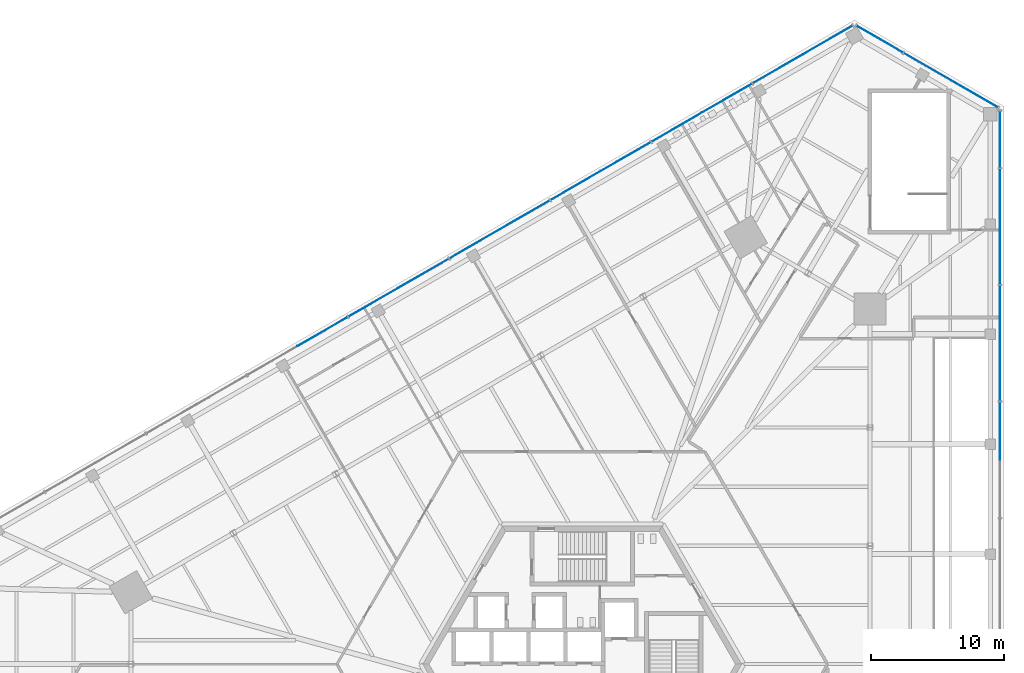
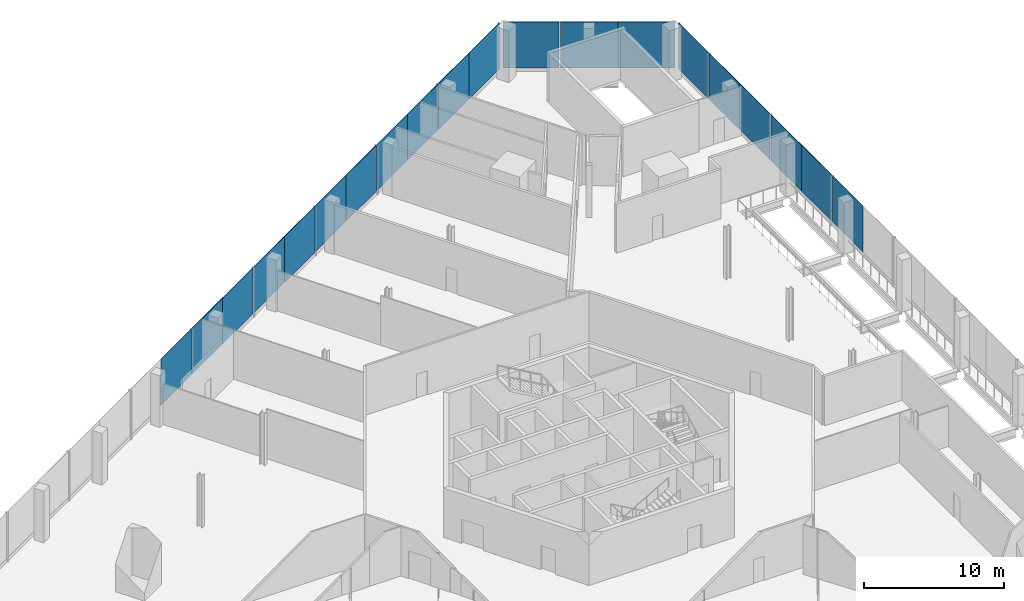
# One storey, part 17 of 25: 20 plates, 3 elements without a shape of their own.
"""IFC4 building model written with IfcOpenShell, lengths in metres."""

import ifcopenshell
import ifcopenshell.guid

model = None  # the IFC model being written
_history = None  # IfcOwnerHistory: only IFC2X3 demands one
_inside = {}  # id of a spatial element -> (the spatial element, [elements in it])
_under = {}  # id of a project, library or spatial element -> (it, [spatial elements below it])
_declared = {}  # id of a project -> (the project, [libraries it declares])
_typed = {}  # id of a type object -> (the type object, [elements of that type])
_made_of = {}  # id of a material, layer set ... -> (it, [elements and type objects made of it])


def new_model(schema):
    """Start an empty IFC model of exactly this schema.

    Asked for "IFC4X3", IfcOpenShell would pick the latest addendum, in which some entities
    have other attributes; the version numbers below select the first issue.
    IFC2X3 requires an IfcOwnerHistory on every rooted entity: one is made here for all.
    """
    global model, _history
    if schema == "IFC4X3":
        model = ifcopenshell.file(schema_version=(4, 3, 0, 0))
    else:
        model = ifcopenshell.file(schema=schema)
    _inside.clear()
    _under.clear()
    _declared.clear()
    _typed.clear()
    _made_of.clear()
    _history = None
    if model.schema == "IFC2X3":
        org = make("IfcOrganization", Name="unknown")
        user = make(
            "IfcPersonAndOrganization",
            ThePerson=make("IfcPerson", FamilyName="unknown"),
            TheOrganization=org,
        )
        app = make(
            "IfcApplication",
            ApplicationDeveloper=org,
            Version="unknown",
            ApplicationFullName="unknown",
            ApplicationIdentifier="unknown",
        )
        _history = make(
            "IfcOwnerHistory",
            OwningUser=user,
            OwningApplication=app,
            ChangeAction="ADDED",
            CreationDate=0,
        )
    return model


def make(cls, **values):
    """One entity of the class cls with the attributes given. An attribute that is None is left unset."""
    return model.create_entity(
        cls, **{name: value for name, value in values.items() if value is not None}
    )


def rooted(cls, **values):
    """An entity with a GlobalId (a new one), such as an element, a storey or a relation."""
    return make(cls, GlobalId=ifcopenshell.guid.new(), OwnerHistory=_history, **values)


def si_unit(unit_type, name, prefix=None):
    """IfcSIUnit, for example si_unit("LENGTHUNIT", "METRE", prefix="MILLI")."""
    return make("IfcSIUnit", UnitType=unit_type, Prefix=prefix, Name=name)


def assignment(units):
    """IfcUnitAssignment: the units of a project."""
    return None if units is None else make("IfcUnitAssignment", Units=units)


def point(xyz):
    """IfcCartesianPoint."""
    return None if xyz is None else make("IfcCartesianPoint", Coordinates=xyz)


def direction(xyz):
    """IfcDirection."""
    return None if xyz is None else make("IfcDirection", DirectionRatios=xyz)


def frame(location, z_axis=None, x_axis=None):
    """IfcAxis2Placement3D, a coordinate frame: its origin and axes. An axis left out is left unset."""
    return make(
        "IfcAxis2Placement3D",
        Location=point(location),
        Axis=direction(z_axis),
        RefDirection=direction(x_axis),
    )


def frame_2d(location, x_axis=None):
    """IfcAxis2Placement2D, a coordinate frame in the plane: its origin and x axis."""
    return make(
        "IfcAxis2Placement2D", Location=point(location), RefDirection=direction(x_axis)
    )


def origin():
    """The frame at (0, 0, 0) with its axes left unset."""
    return frame((0.0, 0.0, 0.0))


def origin_2d():
    """The frame at (0, 0) in the plane with its x axis left unset."""
    return frame_2d((0.0, 0.0))


def place(relative_to, where):
    """IfcLocalPlacement: puts the frame where relative to a parent placement (None: the world)."""
    return make(
        "IfcLocalPlacement", PlacementRelTo=relative_to, RelativePlacement=where
    )


def context(
    kind, dimensions, precision=None, world=None, true_north=None, identifier=None
):
    """IfcGeometricRepresentationContext, for example the 3D "Model" context."""
    return make(
        "IfcGeometricRepresentationContext",
        ContextIdentifier=identifier,
        ContextType=kind,
        CoordinateSpaceDimension=dimensions,
        Precision=precision,
        WorldCoordinateSystem=world,
        TrueNorth=true_north,
    )


def subcontext(parent, identifier, kind, view, scale=None):
    """IfcGeometricRepresentationSubContext, for example "Body" below "Model"."""
    return make(
        "IfcGeometricRepresentationSubContext",
        ContextIdentifier=identifier,
        ContextType=kind,
        ParentContext=parent,
        TargetScale=scale,
        TargetView=view,
    )


def project(units=None, contexts=None):
    """IfcProject with its units and contexts."""
    return rooted(
        "IfcProject",
        Name="project",
        RepresentationContexts=contexts,
        UnitsInContext=assignment(units),
    )


def spatial(cls, under=None, at=None, **own):
    """A site, building, storey or space (cls), placed at a placement, below another one or the project."""
    s = rooted(cls, ObjectPlacement=at, **own)
    if under is not None:
        _under.setdefault(under.id(), (under, []))[1].append(s)
    return s


def profile(cls, at=None, kind="AREA", **sizes):
    """A parametric profile (cls). Its sizes go by their IFC names, for example OverallWidth=200.0."""
    return make(cls, ProfileType=kind, Position=at, **sizes)


def rectangle(**sizes):
    """IfcRectangleProfileDef."""
    return profile("IfcRectangleProfileDef", **sizes)


def extrude(swept, where, along, depth):
    """IfcExtrudedAreaSolid: the profile swept, set in the frame where, extruded along a direction by depth."""
    return make(
        "IfcExtrudedAreaSolid",
        SweptArea=swept,
        Position=where,
        ExtrudedDirection=direction(along),
        Depth=depth,
    )


def shape(context_of_items, identifier, shape_type, items):
    """IfcShapeRepresentation: the items that make up one representation, for example the "Body"."""
    return make(
        "IfcShapeRepresentation",
        ContextOfItems=context_of_items,
        RepresentationIdentifier=identifier,
        RepresentationType=shape_type,
        Items=items,
    )


def source(mapping_origin, context_of_items, identifier, shape_type, items):
    """IfcRepresentationMap: a shape defined once, which mapped items show again and again."""
    return make(
        "IfcRepresentationMap",
        MappingOrigin=mapping_origin,
        MappedRepresentation=shape(context_of_items, identifier, shape_type, items),
    )


def transform(
    local_origin,
    x_axis=None,
    y_axis=None,
    z_axis=None,
    scale=None,
    scale2=None,
    scale3=None,
    uniform=True,
):
    """IfcCartesianTransformationOperator3D, or its non-uniform kind. x_axis, y_axis, z_axis: its Axis1, 2, 3."""
    if uniform:
        return make(
            "IfcCartesianTransformationOperator3D",
            Axis1=direction(x_axis),
            Axis2=direction(y_axis),
            LocalOrigin=point(local_origin),
            Scale=scale,
            Axis3=direction(z_axis),
        )
    return make(
        "IfcCartesianTransformationOperator3DnonUniform",
        Axis1=direction(x_axis),
        Axis2=direction(y_axis),
        LocalOrigin=point(local_origin),
        Scale=scale,
        Axis3=direction(z_axis),
        Scale2=scale2,
        Scale3=scale3,
    )


def mapped(mapping_source, mapping_target):
    """IfcMappedItem: shows the shape of a source again, moved by a transform."""
    return make(
        "IfcMappedItem", MappingSource=mapping_source, MappingTarget=mapping_target
    )


def material(Name=None, Category=None):
    """IfcMaterial."""
    return make("IfcMaterial", Name=Name, Category=Category)


def layer(
    of_material, thickness, ventilated=None, Name=None, Category=None, Priority=None
):
    """IfcMaterialLayer: one layer of a wall or slab, of a material (None: an air gap)."""
    return make(
        "IfcMaterialLayer",
        Material=of_material,
        LayerThickness=thickness,
        IsVentilated=ventilated,
        Name=Name,
        Category=Category,
        Priority=Priority,
    )


def layer_set(layers, Name=None):
    """IfcMaterialLayerSet."""
    return make("IfcMaterialLayerSet", MaterialLayers=layers, LayerSetName=Name)


def made_of(thing, what):
    """Note that an element or type object is made of a material, layer set ...; save() writes the relation."""
    if what is not None:
        _made_of.setdefault(what.id(), (what, []))[1].append(thing)
    return thing


def type_object(cls, material=None, **own):
    """A type object (cls), such as IfcWallType, which elements share."""
    return made_of(rooted(cls, **own), material)


def element(
    cls,
    number,
    at=None,
    inside=None,
    cuts=None,
    type_object=None,
    material=None,
    context=None,
    identifier="Body",
    shape_type=None,
    held_by="IfcProductDefinitionShape",
    body=None,
    shapes=None,
    **own,
):
    """One element of the class cls, such as IfcWall. Its Tag is "e" and its number.

    at: its placement. inside: the storey or other place that contains it. cuts: it is an
    opening in that element (IfcRelVoidsElement). A single representation is given by context,
    identifier, shape_type and body (its items); several are given by shapes. held_by: the class
    of the entity that holds the representations. save() writes the other relations.
    """
    e = rooted(cls, Tag="e%d" % number, ObjectPlacement=at, **own)
    if body is not None:
        shapes = [shape(context, identifier, shape_type, body)]
    if shapes is not None:
        e.Representation = make(held_by, Representations=shapes)
    if inside is not None:
        _inside.setdefault(inside.id(), (inside, []))[1].append(e)
    if cuts is not None:
        rooted(
            "IfcRelVoidsElement", RelatingBuildingElement=cuts, RelatedOpeningElement=e
        )
    if type_object is not None:
        _typed.setdefault(type_object.id(), (type_object, []))[1].append(e)
    return made_of(e, material)


def aggregate(whole, parts):
    """IfcRelAggregates: a whole, such as a stair, and the parts it consists of."""
    return rooted("IfcRelAggregates", RelatingObject=whole, RelatedObjects=parts)


def save(model, path):
    """Write the relations noted so far, then the file.

    IfcRelAggregates (storeys below a building ...), IfcRelContainedInSpatialStructure (elements
    in a storey), IfcRelDefinesByType, IfcRelAssociatesMaterial and IfcRelDeclares: one each for
    every whole, place, type object, material and project.
    """
    for whole, parts in _under.values():
        aggregate(whole, parts)
    for where, things in _inside.values():
        rooted(
            "IfcRelContainedInSpatialStructure",
            RelatedElements=things,
            RelatingStructure=where,
        )
    for kind, things in _typed.values():
        rooted("IfcRelDefinesByType", RelatedObjects=things, RelatingType=kind)
    for what, things in _made_of.values():
        rooted("IfcRelAssociatesMaterial", RelatedObjects=things, RelatingMaterial=what)
    for by, libraries in _declared.values():
        rooted("IfcRelDeclares", RelatingContext=by, RelatedDefinitions=libraries)
    model.write(path)


model = new_model("IFC4")

# Units and contexts
model_context = context("Model", 3, precision=1e-05, world=origin(), true_north=direction((0.0, 1.0)))
body_context = subcontext(model_context, "Body", "Model", "MODEL_VIEW")
ifc_project = project(units=[si_unit("LENGTHUNIT", "METRE"), si_unit("AREAUNIT", "SQUARE_METRE"), si_unit("VOLUMEUNIT", "CUBIC_METRE"), si_unit("PLANEANGLEUNIT", "RADIAN"), si_unit("MASSUNIT", "GRAM", prefix="KILO")], contexts=[model_context])

# Site, building, storey
site_placement = place(None, origin())
site = spatial("IfcSite", under=ifc_project, at=site_placement, CompositionType="ELEMENT")
building_placement = place(site_placement, origin())
building = spatial("IfcBuilding", under=site, at=building_placement, Name="Triune Harvest Tower", CompositionType="ELEMENT")
storey_placement = place(building_placement, frame((0.0, 0.0, 11.5)))
storey = spatial("IfcBuildingStorey", under=building, at=storey_placement, Name="L02", CompositionType="ELEMENT", Elevation=11.5)

# Curtain wall, plate
ifc_material_1 = material(Name="Aluminium bronze anodised", Category="aluminium")
curtain_wall_type = type_object("IfcCurtainWallType", Name="CW-2 Podium shopfront wall", PredefinedType="NOTDEFINED", material=ifc_material_1)
curtain_wall_1_placement = place(storey_placement, origin())
curtain_wall_1 = element("IfcCurtainWall", 1, at=curtain_wall_1_placement, inside=storey, type_object=curtain_wall_type, Name="CW-2 PD-F3 L02 run 1")
ifc_material_2 = material(Name="Glass", Category="glass")
ifc_layer = layer(ifc_material_2, 0.0400390625)
ifc_layer_set = layer_set([ifc_layer], Name="Glass")
plate_type = type_object("IfcPlateType", Name="GL-2 panel 40", PredefinedType="CURTAIN_PANEL", material=ifc_layer_set)
shared_shape_1 = source(origin(), body_context, "Body", "SweptSolid", [
    extrude(rectangle(XDim=4.303466796875, YDim=0.0400390625, at=origin_2d()), origin(), (0.0, 0.0, 1.0), 4.0),
])
plate_1_placement = place(storey_placement, frame((18.4765625, 46.98779296875, 0.300048828125), z_axis=(0.0, 0.0, 1.0), x_axis=(-0.866025276122, -0.500000221117, 0.0)))
plate_1 = element("IfcPlate", 2, at=plate_1_placement, type_object=plate_type, Name="CW-2 panel PD-F3 1.1", PredefinedType="CURTAIN_PANEL", context=body_context, shape_type="MappedRepresentation", body=[
    mapped(shared_shape_1, transform((0.0, 0.0, 0.0), scale=1.0)),
])

# Curtain wall, plates
curtain_wall_2_placement = place(storey_placement, origin())
curtain_wall_2 = element("IfcCurtainWall", 3, at=curtain_wall_2_placement, inside=storey, type_object=curtain_wall_type, Name="CW-2 PD-F1 L02 run 1")
shared_shape_2 = source(origin(), body_context, "Body", "SweptSolid", [
    extrude(rectangle(XDim=4.348388671875, YDim=0.0400390625, at=origin_2d()), origin(), (0.0, 0.0, 1.0), 4.0),
])
plate_2_placement = place(storey_placement, frame((31.454345703125, 17.55078125, 0.300048828125), z_axis=(0.0, 0.0, 1.0), x_axis=(0.0, 1.0, 0.0)))
plate_2 = element("IfcPlate", 4, at=plate_2_placement, type_object=plate_type, Name="CW-2 panel PD-F1 1.14", PredefinedType="CURTAIN_PANEL", context=body_context, shape_type="MappedRepresentation", body=[
    mapped(shared_shape_2, transform((0.0, 0.0, 0.0), scale=1.0)),
])
plate_3_placement = place(storey_placement, frame((31.454345703125, 21.9892578125, 0.300048828125), z_axis=(0.0, 0.0, 1.0), x_axis=(0.0, 1.0, 0.0)))
plate_3 = element("IfcPlate", 5, at=plate_3_placement, type_object=plate_type, Name="CW-2 panel PD-F1 1.15", PredefinedType="CURTAIN_PANEL", context=body_context, shape_type="MappedRepresentation", body=[
    mapped(shared_shape_2, transform((0.0, 0.0, 0.0), scale=1.0)),
])
plate_4_placement = place(storey_placement, frame((31.454345703125, 26.337646484375, 0.300048828125), z_axis=(0.0, 0.0, 1.0), x_axis=(0.0, 1.0, 0.0)))
plate_4 = element("IfcPlate", 6, at=plate_4_placement, type_object=plate_type, Name="CW-2 panel PD-F1 1.16", PredefinedType="CURTAIN_PANEL", context=body_context, shape_type="MappedRepresentation", body=[
    mapped(shared_shape_2, transform((0.0, 0.0, 0.0), scale=1.0)),
])
plate_5_placement = place(storey_placement, frame((31.454345703125, 30.77587890625, 0.300048828125), z_axis=(0.0, 0.0, 1.0), x_axis=(0.0, 1.0, 0.0)))
plate_5 = element("IfcPlate", 7, at=plate_5_placement, type_object=plate_type, Name="CW-2 panel PD-F1 1.17", PredefinedType="CURTAIN_PANEL", context=body_context, shape_type="MappedRepresentation", body=[
    mapped(shared_shape_2, transform((0.0, 0.0, 0.0), scale=1.0)),
])
plate_6_placement = place(storey_placement, frame((31.454345703125, 35.124267578125, 0.300048828125), z_axis=(0.0, 0.0, 1.0), x_axis=(0.0, 1.0, 0.0)))
plate_6 = element("IfcPlate", 8, at=plate_6_placement, type_object=plate_type, Name="CW-2 panel PD-F1 1.18", PredefinedType="CURTAIN_PANEL", context=body_context, shape_type="MappedRepresentation", body=[
    mapped(shared_shape_2, transform((0.0, 0.0, 0.0), scale=1.0)),
])

# Plate
plate_7_placement = place(storey_placement, frame((14.730224609375, 44.824951171875, 0.300048828125), z_axis=(0.0, 0.0, 1.0), x_axis=(-0.866025276122, -0.500000221117, 0.0)))
plate_7 = element("IfcPlate", 9, at=plate_7_placement, type_object=plate_type, Name="CW-2 panel PD-F3 1.2", PredefinedType="CURTAIN_PANEL", context=body_context, shape_type="MappedRepresentation", body=[
    mapped(shared_shape_2, transform((0.0, 0.0, 0.0), scale=1.0)),
])

plate_8_placement = place(storey_placement, frame((10.88671875, 42.605712890625, 0.300048828125), z_axis=(0.0, 0.0, 1.0), x_axis=(-0.866025276122, -0.500000221117, 0.0)))
plate_8 = element("IfcPlate", 10, at=plate_8_placement, type_object=plate_type, Name="CW-2 panel PD-F3 1.3", PredefinedType="CURTAIN_PANEL", context=body_context, shape_type="MappedRepresentation", body=[
    mapped(shared_shape_2, transform((0.0, 0.0, 0.0), scale=1.0)),
])

plate_9_placement = place(storey_placement, frame((7.120849609375, 40.431396484375, 0.300048828125), z_axis=(0.0, 0.0, 1.0), x_axis=(-0.866025276122, -0.500000221117, 0.0)))
plate_9 = element("IfcPlate", 11, at=plate_9_placement, type_object=plate_type, Name="CW-2 panel PD-F3 1.4", PredefinedType="CURTAIN_PANEL", context=body_context, shape_type="MappedRepresentation", body=[
    mapped(shared_shape_2, transform((0.0, 0.0, 0.0), scale=1.0)),
])

plate_10_placement = place(storey_placement, frame((3.277099609375, 38.21240234375, 0.300048828125), z_axis=(0.0, 0.0, 1.0), x_axis=(-0.866025276122, -0.500000221117, 0.0)))
plate_10 = element("IfcPlate", 12, at=plate_10_placement, type_object=plate_type, Name="CW-2 panel PD-F3 1.5", PredefinedType="CURTAIN_PANEL", context=body_context, shape_type="MappedRepresentation", body=[
    mapped(shared_shape_2, transform((0.0, 0.0, 0.0), scale=1.0)),
])

plate_11_placement = place(storey_placement, frame((-0.48876953125, 36.0380859375, 0.300048828125), z_axis=(0.0, 0.0, 1.0), x_axis=(-0.866025276122, -0.500000221117, 0.0)))
plate_11 = element("IfcPlate", 13, at=plate_11_placement, type_object=plate_type, Name="CW-2 panel PD-F3 1.6", PredefinedType="CURTAIN_PANEL", context=body_context, shape_type="MappedRepresentation", body=[
    mapped(shared_shape_2, transform((0.0, 0.0, 0.0), scale=1.0)),
])

plate_12_placement = place(storey_placement, frame((-4.332275390625, 33.819091796875, 0.300048828125), z_axis=(0.0, 0.0, 1.0), x_axis=(-0.866025276122, -0.500000221117, 0.0)))
plate_12 = element("IfcPlate", 14, at=plate_12_placement, type_object=plate_type, Name="CW-2 panel PD-F3 1.7", PredefinedType="CURTAIN_PANEL", context=body_context, shape_type="MappedRepresentation", body=[
    mapped(shared_shape_2, transform((0.0, 0.0, 0.0), scale=1.0)),
])

plate_13_placement = place(storey_placement, frame((-8.09814453125, 31.644775390625, 0.300048828125), z_axis=(0.0, 0.0, 1.0), x_axis=(-0.866025276122, -0.500000221117, 0.0)))
plate_13 = element("IfcPlate", 15, at=plate_13_placement, type_object=plate_type, Name="CW-2 panel PD-F3 1.8", PredefinedType="CURTAIN_PANEL", context=body_context, shape_type="MappedRepresentation", body=[
    mapped(shared_shape_2, transform((0.0, 0.0, 0.0), scale=1.0)),
])

plate_14_placement = place(storey_placement, frame((-11.94189453125, 29.425537109375, 0.300048828125), z_axis=(0.0, 0.0, 1.0), x_axis=(-0.866025276122, -0.500000221117, 0.0)))
plate_14 = element("IfcPlate", 16, at=plate_14_placement, type_object=plate_type, Name="CW-2 panel PD-F3 1.9", PredefinedType="CURTAIN_PANEL", context=body_context, shape_type="MappedRepresentation", body=[
    mapped(shared_shape_2, transform((0.0, 0.0, 0.0), scale=1.0)),
])

plate_15_placement = place(storey_placement, frame((-15.707763671875, 27.25146484375, 0.300048828125), z_axis=(0.0, 0.0, 1.0), x_axis=(-0.866025276122, -0.500000221117, 0.0)))
plate_15 = element("IfcPlate", 17, at=plate_15_placement, type_object=plate_type, Name="CW-2 panel PD-F3 1.10", PredefinedType="CURTAIN_PANEL", context=body_context, shape_type="MappedRepresentation", body=[
    mapped(shared_shape_2, transform((0.0, 0.0, 0.0), scale=1.0)),
])

plate_16_placement = place(storey_placement, frame((-19.55126953125, 25.0322265625, 0.300048828125), z_axis=(0.0, 0.0, 1.0), x_axis=(-0.866025276122, -0.500000221117, 0.0)))
plate_16 = element("IfcPlate", 18, at=plate_16_placement, type_object=plate_type, Name="CW-2 panel PD-F3 1.11", PredefinedType="CURTAIN_PANEL", context=body_context, shape_type="MappedRepresentation", body=[
    mapped(shared_shape_2, transform((0.0, 0.0, 0.0), scale=1.0)),
])

aggregate(curtain_wall_1, [plate_1, plate_7, plate_8, plate_9, plate_10, plate_11, plate_12, plate_13, plate_14, plate_15, plate_16])

shared_shape_3 = source(origin(), body_context, "Body", "SweptSolid", [
    extrude(rectangle(XDim=4.25830078125, YDim=0.0400390625, at=origin_2d()), origin(), (0.0, 0.0, 1.0), 4.0),
])
plate_17_placement = place(storey_placement, frame((31.454345703125, 39.517578125, 0.300048828125), z_axis=(0.0, 0.0, 1.0), x_axis=(0.0, 1.0, 0.0)))
plate_17 = element("IfcPlate", 19, at=plate_17_placement, type_object=plate_type, Name="CW-2 panel PD-F1 1.19", PredefinedType="CURTAIN_PANEL", context=body_context, shape_type="MappedRepresentation", body=[
    mapped(shared_shape_3, transform((0.0, 0.0, 0.0), scale=1.0)),
])

aggregate(curtain_wall_2, [plate_2, plate_3, plate_4, plate_5, plate_6, plate_17])

# Curtain wall, plates
curtain_wall_3_placement = place(storey_placement, origin())
curtain_wall_3 = element("IfcCurtainWall", 20, at=curtain_wall_3_placement, inside=storey, type_object=curtain_wall_type, Name="CW-2 PD-F2 L02 run 1")
shared_shape_4 = source(origin(), body_context, "Body", "SweptSolid", [
    extrude(rectangle(XDim=4.06787109375, YDim=0.0400390625, at=origin_2d()), origin(), (0.0, 0.0, 1.0), 4.0),
])
plate_18_placement = place(storey_placement, frame((29.536865234375, 42.933837890625, 0.300048828125), z_axis=(0.0, 0.0, 1.0), x_axis=(-0.866026607989, 0.49999791425, 0.0)))
plate_18 = element("IfcPlate", 21, at=plate_18_placement, type_object=plate_type, Name="CW-2 panel PD-F2 1.1", PredefinedType="CURTAIN_PANEL", context=body_context, shape_type="MappedRepresentation", body=[
    mapped(shared_shape_4, transform((0.0, 0.0, 0.0), scale=1.0)),
])
shared_shape_5 = source(origin(), body_context, "Body", "SweptSolid", [
    extrude(rectangle(XDim=4.11279296875, YDim=0.0400390625, at=origin_2d()), origin(), (0.0, 0.0, 1.0), 4.0),
])
plate_19_placement = place(storey_placement, frame((25.99462890625, 44.97900390625, 0.300048828125), z_axis=(0.0, 0.0, 1.0), x_axis=(-0.866026607989, 0.49999791425, 0.0)))
plate_19 = element("IfcPlate", 22, at=plate_19_placement, type_object=plate_type, Name="CW-2 panel PD-F2 1.2", PredefinedType="CURTAIN_PANEL", context=body_context, shape_type="MappedRepresentation", body=[
    mapped(shared_shape_5, transform((0.0, 0.0, 0.0), scale=1.0)),
])
shared_shape_6 = source(origin(), body_context, "Body", "SweptSolid", [
    extrude(rectangle(XDim=4.02294921875, YDim=0.0400390625, at=origin_2d()), origin(), (0.0, 0.0, 1.0), 4.0),
])
plate_20_placement = place(storey_placement, frame((22.393798828125, 47.057861328125, 0.300048828125), z_axis=(0.0, 0.0, 1.0), x_axis=(-0.866026607989, 0.49999791425, 0.0)))
plate_20 = element("IfcPlate", 23, at=plate_20_placement, type_object=plate_type, Name="CW-2 panel PD-F2 1.3", PredefinedType="CURTAIN_PANEL", context=body_context, shape_type="MappedRepresentation", body=[
    mapped(shared_shape_6, transform((0.0, 0.0, 0.0), scale=1.0)),
])
aggregate(curtain_wall_3, [plate_18, plate_19, plate_20])

save(model, "model.ifc")
